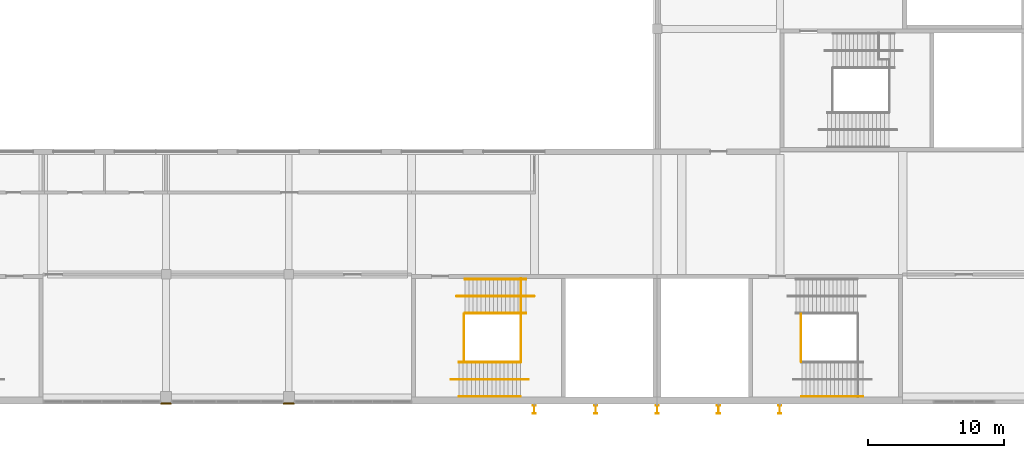
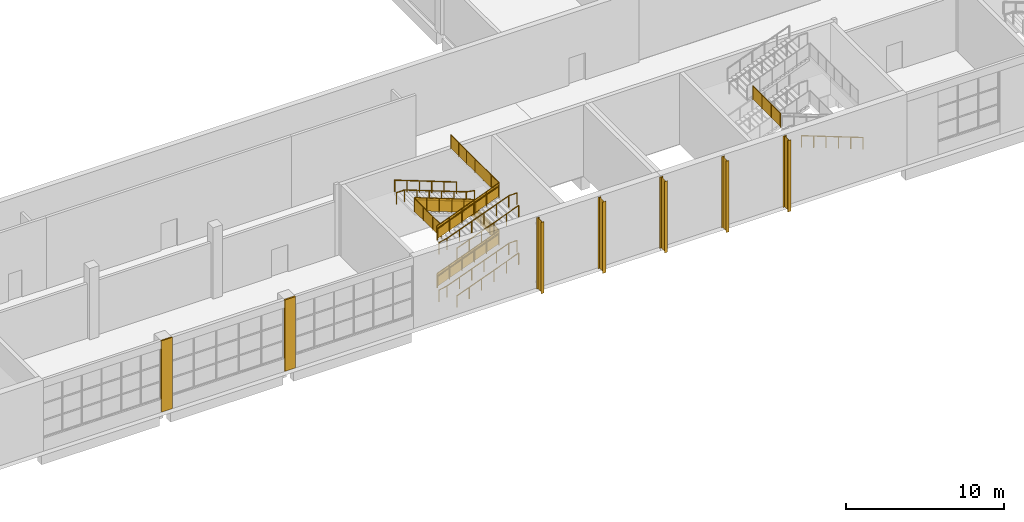
# One storey, part 66 of 84: 17 railings, 5 shading devices, 2 coverings.
"""IFC4 building model written with IfcOpenShell, lengths in metres."""

from ifc_helpers import new_model, si_unit, direction, frame, origin, origin_2d, place, context, subcontext, project, spatial, polyline, circle, i_section, outline, extrude, material, layer, layer_set, material_profile, profile_set, type_object, element, save


model = new_model("IFC4")

# Units and contexts
model_context = context("Model", 3, precision=1e-05, world=origin(), true_north=direction((0.0, 1.0)))
body_context = subcontext(model_context, "Body", "Model", "MODEL_VIEW")
ifc_project = project(units=[si_unit("LENGTHUNIT", "METRE"), si_unit("AREAUNIT", "SQUARE_METRE"), si_unit("VOLUMEUNIT", "CUBIC_METRE"), si_unit("PLANEANGLEUNIT", "RADIAN"), si_unit("MASSUNIT", "GRAM", prefix="KILO")], contexts=[model_context])

# Site, building, storey
site_placement = place(None, origin())
site = spatial("IfcSite", under=ifc_project, at=site_placement, CompositionType="ELEMENT")
building_placement = place(site_placement, origin())
building = spatial("IfcBuilding", under=site, at=building_placement, Name="Silverbay Arena", CompositionType="ELEMENT")
storey_placement = place(building_placement, frame((0.0, 0.0, 28.0)))
storey = spatial("IfcBuildingStorey", under=building, at=storey_placement, Name="L04", CompositionType="ELEMENT", Elevation=28.0)

# Coverings
ifc_material_1 = material(Name="Aluminium composite cladding", Category="aluminium")
ifc_layer = layer(ifc_material_1, 0.10009765625)
ifc_layer_set = layer_set([ifc_layer], Name="Aluminium composite cladding")
covering_type = type_object("IfcCoveringType", Name="Column cladding 100", PredefinedType="CLADDING", material=ifc_layer_set)
covering_1_placement = place(storey_placement, origin())
element("IfcCovering", 1, at=covering_1_placement, inside=storey, type_object=covering_type, Name="South column cladding L04 1", PredefinedType="CLADDING", context=body_context, shape_type="SweptSolid", body=[
    extrude(outline(polyline([(125.60009765625, 17.5), (126.39990234375, 17.5), (126.39990234375, 17.60009765625), (125.60009765625, 17.60009765625), (125.60009765625, 17.5)])), origin(), (0.0, 0.0, 1.0), 5.5),
])
covering_2_placement = place(storey_placement, origin())
element("IfcCovering", 2, at=covering_2_placement, inside=storey, type_object=covering_type, Name="South column cladding L04 3", PredefinedType="CLADDING", context=body_context, shape_type="SweptSolid", body=[
    extrude(outline(polyline([(134.60009765625, 17.5), (135.39990234375, 17.5), (135.39990234375, 17.60009765625), (134.60009765625, 17.60009765625), (134.60009765625, 17.5)])), origin(), (0.0, 0.0, 1.0), 5.5),
])

# Railings
ifc_material_2 = material(Name="Stainless steel", Category="steel")
railing_type_1 = type_object("IfcRailingType", Name="Stair guard 1100", PredefinedType="GUARDRAIL", material=ifc_material_2)
railing_1_placement = place(storey_placement, frame((147.4794921875, 20.574951171875, 0.114501953125)))
element("IfcRailing", 3, at=railing_1_placement, inside=storey, type_object=railing_type_1, Name="Stair ST-S3 L04 to L05 flight 1 guard left", PredefinedType="GUARDRAIL", context=body_context, shape_type="SweptSolid", body=[
    extrude(circle(Radius=0.02392578125, at=origin_2d()), frame((0.0, 0.0, 1.076171875), z_axis=(0.93417907455, 0.0, 0.356804507641), x_axis=(0.0, 1.0, 0.0)), (0.0, 0.0, 1.0), 4.817138671875),
    extrude(outline(polyline([(-0.008056640625, 0.046875), (0.907958984375, 0.396728515625), (0.907958984375, 1.39990234375), (-0.008056640625, 1.050048828125), (-0.008056640625, 0.046875)])), frame((0.0, 0.0029296875, 0.0), z_axis=(0.0, -1.0, 0.0), x_axis=(1.0, 0.0, 0.0)), (0.0, 0.0, 1.0), 0.006103515625),
    extrude(outline(polyline([(-0.008056640625, 0.390625), (0.907958984375, 0.740478515625), (0.907958984375, 1.74365234375), (-0.008056640625, 1.393798828125), (-0.008056640625, 0.390625)])), frame((0.89990234375, 0.0029296875, 0.0), z_axis=(0.0, -1.0, 0.0), x_axis=(1.0, 0.0, 0.0)), (0.0, 0.0, 1.0), 0.006103515625),
    extrude(outline(polyline([(-0.008056640625, 0.734375), (0.907958984375, 1.084228515625), (0.907958984375, 2.08740234375), (-0.008056640625, 1.737548828125), (-0.008056640625, 0.734375)])), frame((1.800048828125, 0.0029296875, 0.0), z_axis=(0.0, -1.0, 0.0), x_axis=(1.0, 0.0, 0.0)), (0.0, 0.0, 1.0), 0.006103515625),
    extrude(outline(polyline([(-0.008056640625, 1.078125), (0.907958984375, 1.427978515625), (0.907958984375, 2.43115234375), (-0.008056640625, 2.081298828125), (-0.008056640625, 1.078125)])), frame((2.699951171875, 0.0029296875, 0.0), z_axis=(0.0, -1.0, 0.0), x_axis=(1.0, 0.0, 0.0)), (0.0, 0.0, 1.0), 0.006103515625),
    extrude(outline(polyline([(-0.008056640625, 1.421875), (0.907958984375, 1.771728515625), (0.907958984375, 2.77490234375), (-0.008056640625, 2.425048828125), (-0.008056640625, 1.421875)])), frame((3.60009765625, 0.0029296875, 0.0), z_axis=(0.0, -1.0, 0.0), x_axis=(1.0, 0.0, 0.0)), (0.0, 0.0, 1.0), 0.006103515625),
    extrude(circle(Radius=0.02099609375, at=origin_2d()), origin(), (0.0, 0.0, 1.0), 1.052001953125),
    extrude(circle(Radius=0.02099609375, at=origin_2d()), frame((0.89990234375, 0.0, 0.34375)), (0.0, 0.0, 1.0), 1.052001953125),
    extrude(circle(Radius=0.02099609375, at=origin_2d()), frame((1.800048828125, 0.0, 0.6875)), (0.0, 0.0, 1.0), 1.052001953125),
    extrude(circle(Radius=0.02099609375, at=origin_2d()), frame((2.699951171875, 0.0, 1.03125)), (0.0, 0.0, 1.0), 1.052001953125),
    extrude(circle(Radius=0.02099609375, at=origin_2d()), frame((3.60009765625, 0.0, 1.375)), (0.0, 0.0, 1.0), 1.052001953125),
    extrude(circle(Radius=0.02099609375, at=origin_2d()), frame((4.5, 0.0, 1.71875)), (0.0, 0.0, 1.0), 1.052001953125),
])
railing_2_placement = place(storey_placement, frame((152.39990234375, 24.125, 1.947998046875)))
element("IfcRailing", 4, at=railing_2_placement, inside=storey, type_object=railing_type_1, Name="Stair ST-S3 L04 to L05 flight 2 guard right", PredefinedType="GUARDRAIL", context=body_context, shape_type="SweptSolid", body=[
    extrude(circle(Radius=0.02392578125, at=origin_2d()), frame((0.0, 0.0, 1.076171875), z_axis=(-0.93417907455, 0.0, 0.356804507641), x_axis=(0.0, -1.0, 0.0)), (0.0, 0.0, 1.0), 4.817138671875),
    extrude(outline(polyline([(-0.008056640625, 0.046875), (0.907958984375, 0.396728515625), (0.907958984375, 1.39990234375), (-0.008056640625, 1.050048828125), (-0.008056640625, 0.046875)])), frame((0.0, -0.0029296875, 0.0), z_axis=(0.0, 1.0, 0.0), x_axis=(-1.0, 0.0, 0.0)), (0.0, 0.0, 1.0), 0.006103515625),
    extrude(outline(polyline([(-0.008056640625, 0.390625), (0.907958984375, 0.740478515625), (0.907958984375, 1.74365234375), (-0.008056640625, 1.393798828125), (-0.008056640625, 0.390625)])), frame((-0.89990234375, -0.0029296875, 0.0), z_axis=(0.0, 1.0, 0.0), x_axis=(-1.0, 0.0, 0.0)), (0.0, 0.0, 1.0), 0.006103515625),
    extrude(outline(polyline([(-0.008056640625, 0.734375), (0.907958984375, 1.084228515625), (0.907958984375, 2.08740234375), (-0.008056640625, 1.737548828125), (-0.008056640625, 0.734375)])), frame((-1.800048828125, -0.0029296875, 0.0), z_axis=(0.0, 1.0, 0.0), x_axis=(-1.0, 0.0, 0.0)), (0.0, 0.0, 1.0), 0.006103515625),
    extrude(outline(polyline([(-0.008056640625, 1.078125), (0.907958984375, 1.427978515625), (0.907958984375, 2.43115234375), (-0.008056640625, 2.081298828125), (-0.008056640625, 1.078125)])), frame((-2.699951171875, -0.0029296875, 0.0), z_axis=(0.0, 1.0, 0.0), x_axis=(-1.0, 0.0, 0.0)), (0.0, 0.0, 1.0), 0.006103515625),
    extrude(outline(polyline([(-0.008056640625, 1.421875), (0.907958984375, 1.771728515625), (0.907958984375, 2.77490234375), (-0.008056640625, 2.425048828125), (-0.008056640625, 1.421875)])), frame((-3.60009765625, -0.0029296875, 0.0), z_axis=(0.0, 1.0, 0.0), x_axis=(-1.0, 0.0, 0.0)), (0.0, 0.0, 1.0), 0.006103515625),
    extrude(circle(Radius=0.02099609375, at=origin_2d()), origin(), (0.0, 0.0, 1.0), 1.052001953125),
    extrude(circle(Radius=0.02099609375, at=origin_2d()), frame((-0.89990234375, 0.0, 0.34375)), (0.0, 0.0, 1.0), 1.052001953125),
    extrude(circle(Radius=0.02099609375, at=origin_2d()), frame((-1.800048828125, 0.0, 0.6875)), (0.0, 0.0, 1.0), 1.052001953125),
    extrude(circle(Radius=0.02099609375, at=origin_2d()), frame((-2.699951171875, 0.0, 1.03125)), (0.0, 0.0, 1.0), 1.052001953125),
    extrude(circle(Radius=0.02099609375, at=origin_2d()), frame((-3.60009765625, 0.0, 1.375)), (0.0, 0.0, 1.0), 1.052001953125),
    extrude(circle(Radius=0.02099609375, at=origin_2d()), frame((-4.5, 0.0, 1.71875)), (0.0, 0.0, 1.0), 1.052001953125),
])
railing_3_placement = place(storey_placement, frame((147.4794921875, 20.574951171875, 3.78125)))
element("IfcRailing", 5, at=railing_3_placement, inside=storey, type_object=railing_type_1, Name="Stair ST-S3 L04 to L05 flight 3 guard left", PredefinedType="GUARDRAIL", context=body_context, shape_type="SweptSolid", body=[
    extrude(circle(Radius=0.02392578125, at=origin_2d()), frame((0.0, 0.0, 1.076171875), z_axis=(0.93417907455, 0.0, 0.356804507641), x_axis=(0.0, 1.0, 0.0)), (0.0, 0.0, 1.0), 4.817138671875),
    extrude(outline(polyline([(-0.008056640625, 0.046875), (0.907958984375, 0.396728515625), (0.907958984375, 1.39990234375), (-0.008056640625, 1.050048828125), (-0.008056640625, 0.046875)])), frame((0.0, 0.0029296875, 0.0), z_axis=(0.0, -1.0, 0.0), x_axis=(1.0, 0.0, 0.0)), (0.0, 0.0, 1.0), 0.006103515625),
    extrude(outline(polyline([(-0.008056640625, 0.390625), (0.907958984375, 0.740478515625), (0.907958984375, 1.74365234375), (-0.008056640625, 1.393798828125), (-0.008056640625, 0.390625)])), frame((0.89990234375, 0.0029296875, 0.0), z_axis=(0.0, -1.0, 0.0), x_axis=(1.0, 0.0, 0.0)), (0.0, 0.0, 1.0), 0.006103515625),
    extrude(outline(polyline([(-0.008056640625, 0.734375), (0.907958984375, 1.084228515625), (0.907958984375, 2.08740234375), (-0.008056640625, 1.737548828125), (-0.008056640625, 0.734375)])), frame((1.800048828125, 0.0029296875, 0.0), z_axis=(0.0, -1.0, 0.0), x_axis=(1.0, 0.0, 0.0)), (0.0, 0.0, 1.0), 0.006103515625),
    extrude(outline(polyline([(-0.008056640625, 1.078125), (0.907958984375, 1.427978515625), (0.907958984375, 2.43115234375), (-0.008056640625, 2.081298828125), (-0.008056640625, 1.078125)])), frame((2.699951171875, 0.0029296875, 0.0), z_axis=(0.0, -1.0, 0.0), x_axis=(1.0, 0.0, 0.0)), (0.0, 0.0, 1.0), 0.006103515625),
    extrude(outline(polyline([(-0.008056640625, 1.421875), (0.907958984375, 1.771728515625), (0.907958984375, 2.77490234375), (-0.008056640625, 2.425048828125), (-0.008056640625, 1.421875)])), frame((3.60009765625, 0.0029296875, 0.0), z_axis=(0.0, -1.0, 0.0), x_axis=(1.0, 0.0, 0.0)), (0.0, 0.0, 1.0), 0.006103515625),
    extrude(circle(Radius=0.02099609375, at=origin_2d()), origin(), (0.0, 0.0, 1.0), 1.052001953125),
    extrude(circle(Radius=0.02099609375, at=origin_2d()), frame((0.89990234375, 0.0, 0.34375)), (0.0, 0.0, 1.0), 1.052001953125),
    extrude(circle(Radius=0.02099609375, at=origin_2d()), frame((1.800048828125, 0.0, 0.6875)), (0.0, 0.0, 1.0), 1.052001953125),
    extrude(circle(Radius=0.02099609375, at=origin_2d()), frame((2.699951171875, 0.0, 1.03125)), (0.0, 0.0, 1.0), 1.052001953125),
    extrude(circle(Radius=0.02099609375, at=origin_2d()), frame((3.60009765625, 0.0, 1.375)), (0.0, 0.0, 1.0), 1.052001953125),
    extrude(circle(Radius=0.02099609375, at=origin_2d()), frame((4.5, 0.0, 1.71875)), (0.0, 0.0, 1.0), 1.052001953125),
])
for number, where, name in (
    (6, (152.029541015625, 24.10009765625, 1.833251953125), "Stair ST-S3 L04 to L05 landing 1 guard"),
    (7, (147.85009765625, 24.10009765625, 3.666748046875), "Stair ST-S3 L04 to L05 landing 2 guard"),
):
    element("IfcRailing", number, at=place(storey_placement, frame(where)), inside=storey, type_object=railing_type_1, Name=name, PredefinedType="GUARDRAIL", context=body_context, shape_type="SweptSolid", body=[
        extrude(circle(Radius=0.02392578125, at=origin_2d()), frame((0.0, 0.0, 1.076171875), z_axis=(0.0, -1.0, 0.0), x_axis=(1.0, 0.0, 0.0)), (0.0, 0.0, 1.0), 3.5),
        extrude(outline(polyline([(-0.008056640625, 0.050048828125), (1.174560546875, 0.050048828125), (1.174560546875, 1.052978515625), (-0.008056640625, 1.052978515625), (-0.008056640625, 0.050048828125)])), frame((0.0029296875, 0.0, 0.0), z_axis=(-1.0, 0.0, 0.0), x_axis=(0.0, -1.0, 0.0)), (0.0, 0.0, 1.0), 0.006103515625),
        extrude(outline(polyline([(-0.008056640625, 0.050048828125), (1.174560546875, 0.050048828125), (1.174560546875, 1.052978515625), (-0.008056640625, 1.052978515625), (-0.008056640625, 0.050048828125)])), frame((0.0029296875, -1.166748046875, 0.0), z_axis=(-1.0, 0.0, 0.0), x_axis=(0.0, -1.0, 0.0)), (0.0, 0.0, 1.0), 0.006103515625),
        extrude(outline(polyline([(-0.008056640625, 0.050048828125), (1.174560546875, 0.050048828125), (1.174560546875, 1.052978515625), (-0.008056640625, 1.052978515625), (-0.008056640625, 0.050048828125)])), frame((0.0029296875, -2.333251953125, 0.0), z_axis=(-1.0, 0.0, 0.0), x_axis=(0.0, -1.0, 0.0)), (0.0, 0.0, 1.0), 0.006103515625),
        extrude(circle(Radius=0.02099609375, at=origin_2d()), origin(), (0.0, 0.0, 1.0), 1.052001953125),
        extrude(circle(Radius=0.02099609375, at=origin_2d()), frame((0.0, -1.166748046875, 0.0)), (0.0, 0.0, 1.0), 1.052001953125),
        extrude(circle(Radius=0.02099609375, at=origin_2d()), frame((0.0, -2.333251953125, 0.0)), (0.0, 0.0, 1.0), 1.052001953125),
        extrude(circle(Radius=0.02099609375, at=origin_2d()), frame((0.0, -3.5, 0.0)), (0.0, 0.0, 1.0), 1.052001953125),
    ])
railing_4_placement = place(storey_placement, frame((152.029541015625, 20.60009765625, 5.5)))
element("IfcRailing", 8, at=railing_4_placement, inside=storey, type_object=railing_type_1, Name="Stair ST-S3 L04 to L05 landing 3 guard", PredefinedType="GUARDRAIL", context=body_context, shape_type="SweptSolid", body=[
    extrude(circle(Radius=0.02392578125, at=origin_2d()), frame((0.0, 0.0, 1.076171875), z_axis=(0.0, 1.0, 0.0), x_axis=(-1.0, 0.0, 0.0)), (0.0, 0.0, 1.0), 6.099853515625),
    extrude(outline(polyline([(-0.008056640625, 0.050048828125), (1.024658203125, 0.050048828125), (1.024658203125, 1.052978515625), (-0.008056640625, 1.052978515625), (-0.008056640625, 0.050048828125)])), frame((-0.0029296875, 0.0, 0.0), z_axis=(1.0, 0.0, 0.0), x_axis=(0.0, 1.0, 0.0)), (0.0, 0.0, 1.0), 0.006103515625),
    extrude(outline(polyline([(-0.008056640625, 0.050048828125), (1.024658203125, 0.050048828125), (1.024658203125, 1.052978515625), (-0.008056640625, 1.052978515625), (-0.008056640625, 0.050048828125)])), frame((-0.0029296875, 1.0166015625, 0.0), z_axis=(1.0, 0.0, 0.0), x_axis=(0.0, 1.0, 0.0)), (0.0, 0.0, 1.0), 0.006103515625),
    extrude(outline(polyline([(-0.008056640625, 0.050048828125), (1.024658203125, 0.050048828125), (1.024658203125, 1.052978515625), (-0.008056640625, 1.052978515625), (-0.008056640625, 0.050048828125)])), frame((-0.0029296875, 2.033203125, 0.0), z_axis=(1.0, 0.0, 0.0), x_axis=(0.0, 1.0, 0.0)), (0.0, 0.0, 1.0), 0.006103515625),
    extrude(outline(polyline([(-0.008056640625, 0.050048828125), (1.024658203125, 0.050048828125), (1.024658203125, 1.052978515625), (-0.008056640625, 1.052978515625), (-0.008056640625, 0.050048828125)])), frame((-0.0029296875, 3.0498046875, 0.0), z_axis=(1.0, 0.0, 0.0), x_axis=(0.0, 1.0, 0.0)), (0.0, 0.0, 1.0), 0.006103515625),
    extrude(outline(polyline([(-0.008056640625, 0.050048828125), (1.024658203125, 0.050048828125), (1.024658203125, 1.052978515625), (-0.008056640625, 1.052978515625), (-0.008056640625, 0.050048828125)])), frame((-0.0029296875, 4.066650390625, 0.0), z_axis=(1.0, 0.0, 0.0), x_axis=(0.0, 1.0, 0.0)), (0.0, 0.0, 1.0), 0.006103515625),
    extrude(outline(polyline([(-0.008056640625, 0.050048828125), (1.024658203125, 0.050048828125), (1.024658203125, 1.052978515625), (-0.008056640625, 1.052978515625), (-0.008056640625, 0.050048828125)])), frame((-0.0029296875, 5.083251953125, 0.0), z_axis=(1.0, 0.0, 0.0), x_axis=(0.0, 1.0, 0.0)), (0.0, 0.0, 1.0), 0.006103515625),
    extrude(circle(Radius=0.02099609375, at=origin_2d()), origin(), (0.0, 0.0, 1.0), 1.052001953125),
    extrude(circle(Radius=0.02099609375, at=origin_2d()), frame((0.0, 1.0166015625, 0.0)), (0.0, 0.0, 1.0), 1.052001953125),
    extrude(circle(Radius=0.02099609375, at=origin_2d()), frame((0.0, 2.033203125, 0.0)), (0.0, 0.0, 1.0), 1.052001953125),
    extrude(circle(Radius=0.02099609375, at=origin_2d()), frame((0.0, 3.0498046875, 0.0)), (0.0, 0.0, 1.0), 1.052001953125),
    extrude(circle(Radius=0.02099609375, at=origin_2d()), frame((0.0, 4.066650390625, 0.0)), (0.0, 0.0, 1.0), 1.052001953125),
    extrude(circle(Radius=0.02099609375, at=origin_2d()), frame((0.0, 5.083251953125, 0.0)), (0.0, 0.0, 1.0), 1.052001953125),
    extrude(circle(Radius=0.02099609375, at=origin_2d()), frame((0.0, 6.099853515625, 0.0)), (0.0, 0.0, 1.0), 1.052001953125),
])
railing_5_placement = place(storey_placement, frame((172.550048828125, 24.10009765625, 3.666748046875)))
element("IfcRailing", 9, at=railing_5_placement, inside=storey, type_object=railing_type_1, Name="Stair ST-S4 L04 to L05 landing 2 guard", PredefinedType="GUARDRAIL", context=body_context, shape_type="SweptSolid", body=[
    extrude(circle(Radius=0.02392578125, at=origin_2d()), frame((0.0, 0.0, 1.076171875), z_axis=(0.0, -1.0, 0.0), x_axis=(1.0, 0.0, 0.0)), (0.0, 0.0, 1.0), 3.5),
    extrude(outline(polyline([(-0.008056640625, 0.050048828125), (1.174560546875, 0.050048828125), (1.174560546875, 1.052978515625), (-0.008056640625, 1.052978515625), (-0.008056640625, 0.050048828125)])), frame((0.0029296875, 0.0, 0.0), z_axis=(-1.0, 0.0, 0.0), x_axis=(0.0, -1.0, 0.0)), (0.0, 0.0, 1.0), 0.006103515625),
    extrude(outline(polyline([(-0.008056640625, 0.050048828125), (1.174560546875, 0.050048828125), (1.174560546875, 1.052978515625), (-0.008056640625, 1.052978515625), (-0.008056640625, 0.050048828125)])), frame((0.0029296875, -1.166748046875, 0.0), z_axis=(-1.0, 0.0, 0.0), x_axis=(0.0, -1.0, 0.0)), (0.0, 0.0, 1.0), 0.006103515625),
    extrude(outline(polyline([(-0.008056640625, 0.050048828125), (1.174560546875, 0.050048828125), (1.174560546875, 1.052978515625), (-0.008056640625, 1.052978515625), (-0.008056640625, 0.050048828125)])), frame((0.0029296875, -2.333251953125, 0.0), z_axis=(-1.0, 0.0, 0.0), x_axis=(0.0, -1.0, 0.0)), (0.0, 0.0, 1.0), 0.006103515625),
    extrude(circle(Radius=0.02099609375, at=origin_2d()), origin(), (0.0, 0.0, 1.0), 1.052001953125),
    extrude(circle(Radius=0.02099609375, at=origin_2d()), frame((0.0, -1.166748046875, 0.0)), (0.0, 0.0, 1.0), 1.052001953125),
    extrude(circle(Radius=0.02099609375, at=origin_2d()), frame((0.0, -2.333251953125, 0.0)), (0.0, 0.0, 1.0), 1.052001953125),
    extrude(circle(Radius=0.02099609375, at=origin_2d()), frame((0.0, -3.5, 0.0)), (0.0, 0.0, 1.0), 1.052001953125),
])
ifc_material_3 = material(Name="Stainless steel", Category="steel")
railing_type_2 = type_object("IfcRailingType", Name="Stair handrail 900", PredefinedType="HANDRAIL", material=ifc_material_3)
for number, where, name in (
    (10, (147.4794921875, 20.535888671875, 0.114501953125), "Stair ST-S3 L04 to L05 flight 1 handrail left"),
    (11, (147.4794921875, 18.050048828125, 0.114501953125), "Stair ST-S3 L04 to L05 flight 1 handrail right"),
):
    element("IfcRailing", number, at=place(storey_placement, frame(where)), inside=storey, type_object=railing_type_2, Name=name, PredefinedType="HANDRAIL", context=body_context, shape_type="SweptSolid", body=[
        extrude(circle(Radius=0.02392578125, at=origin_2d()), frame((0.0, 0.0, 0.8759765625), z_axis=(0.93417907455, 0.0, 0.356804507641), x_axis=(0.0, 1.0, 0.0)), (0.0, 0.0, 1.0), 4.817138671875),
        extrude(circle(Radius=0.02099609375, at=origin_2d()), origin(), (0.0, 0.0, 1.0), 0.851806640625),
        extrude(circle(Radius=0.02099609375, at=origin_2d()), frame((0.89990234375, 0.0, 0.34375)), (0.0, 0.0, 1.0), 0.851806640625),
        extrude(circle(Radius=0.02099609375, at=origin_2d()), frame((1.800048828125, 0.0, 0.6875)), (0.0, 0.0, 1.0), 0.851806640625),
        extrude(circle(Radius=0.02099609375, at=origin_2d()), frame((2.699951171875, 0.0, 1.03125)), (0.0, 0.0, 1.0), 0.851806640625),
        extrude(circle(Radius=0.02099609375, at=origin_2d()), frame((3.60009765625, 0.0, 1.375)), (0.0, 0.0, 1.0), 0.851806640625),
        extrude(circle(Radius=0.02099609375, at=origin_2d()), frame((4.5, 0.0, 1.71875)), (0.0, 0.0, 1.0), 0.851806640625),
    ])
railing_6_placement = place(storey_placement, frame((146.879638671875, 19.300048828125, 0.0)))
element("IfcRailing", 12, at=railing_6_placement, inside=storey, type_object=railing_type_2, Name="Stair ST-S3 L04 to L05 flight 1 central handrail", PredefinedType="HANDRAIL", context=body_context, shape_type="SweptSolid", body=[
    extrude(circle(Radius=0.02392578125, at=origin_2d()), frame((0.0, 0.0, 0.8759765625), z_axis=(0.982265007716, 0.0, 0.187497878966), x_axis=(0.0, 1.0, 0.0)), (0.0, 0.0, 1.0), 0.610595703125),
    extrude(circle(Radius=0.02392578125, at=origin_2d()), frame((0.599853515625, 0.0, 0.990234375), z_axis=(0.93417907455, 0.0, 0.356804507641), x_axis=(0.0, 1.0, 0.0)), (0.0, 0.0, 1.0), 4.817138671875),
    extrude(circle(Radius=0.02392578125, at=origin_2d()), frame((5.099853515625, 0.0, 2.708984375), z_axis=(1.0, 0.0, 0.0), x_axis=(0.0, 1.0, 0.0)), (0.0, 0.0, 1.0), 0.60009765625),
    extrude(circle(Radius=0.02099609375, at=origin_2d()), origin(), (0.0, 0.0, 1.0), 0.851806640625),
    extrude(circle(Radius=0.02099609375, at=origin_2d()), frame((0.599853515625, 0.0, 0.114501953125)), (0.0, 0.0, 1.0), 0.851806640625),
    extrude(circle(Radius=0.02099609375, at=origin_2d()), frame((1.499755859375, 0.0, 0.458251953125)), (0.0, 0.0, 1.0), 0.851806640625),
    extrude(circle(Radius=0.02099609375, at=origin_2d()), frame((2.39990234375, 0.0, 0.802001953125)), (0.0, 0.0, 1.0), 0.851806640625),
    extrude(circle(Radius=0.02099609375, at=origin_2d()), frame((3.2998046875, 0.0, 1.145751953125)), (0.0, 0.0, 1.0), 0.851806640625),
    extrude(circle(Radius=0.02099609375, at=origin_2d()), frame((4.199951171875, 0.0, 1.489501953125)), (0.0, 0.0, 1.0), 0.851806640625),
    extrude(circle(Radius=0.02099609375, at=origin_2d()), frame((5.099853515625, 0.0, 1.833251953125)), (0.0, 0.0, 1.0), 0.851806640625),
    extrude(circle(Radius=0.02099609375, at=origin_2d()), frame((5.699951171875, 0.0, 1.833251953125)), (0.0, 0.0, 1.0), 0.851806640625),
])
for number, where, name in (
    (13, (152.39990234375, 26.64990234375, 1.947998046875), "Stair ST-S3 L04 to L05 flight 2 handrail left"),
    (14, (152.39990234375, 24.1640625, 1.947998046875), "Stair ST-S3 L04 to L05 flight 2 handrail right"),
):
    element("IfcRailing", number, at=place(storey_placement, frame(where)), inside=storey, type_object=railing_type_2, Name=name, PredefinedType="HANDRAIL", context=body_context, shape_type="SweptSolid", body=[
        extrude(circle(Radius=0.02392578125, at=origin_2d()), frame((0.0, 0.0, 0.8759765625), z_axis=(-0.93417907455, 0.0, 0.356804507641), x_axis=(0.0, -1.0, 0.0)), (0.0, 0.0, 1.0), 4.817138671875),
        extrude(circle(Radius=0.02099609375, at=origin_2d()), origin(), (0.0, 0.0, 1.0), 0.851806640625),
        extrude(circle(Radius=0.02099609375, at=origin_2d()), frame((-0.89990234375, 0.0, 0.34375)), (0.0, 0.0, 1.0), 0.851806640625),
        extrude(circle(Radius=0.02099609375, at=origin_2d()), frame((-1.800048828125, 0.0, 0.6875)), (0.0, 0.0, 1.0), 0.851806640625),
        extrude(circle(Radius=0.02099609375, at=origin_2d()), frame((-2.699951171875, 0.0, 1.03125)), (0.0, 0.0, 1.0), 0.851806640625),
        extrude(circle(Radius=0.02099609375, at=origin_2d()), frame((-3.60009765625, 0.0, 1.375)), (0.0, 0.0, 1.0), 0.851806640625),
        extrude(circle(Radius=0.02099609375, at=origin_2d()), frame((-4.5, 0.0, 1.71875)), (0.0, 0.0, 1.0), 0.851806640625),
    ])
railing_7_placement = place(storey_placement, frame((153.0, 25.39990234375, 1.833251953125)))
element("IfcRailing", 15, at=railing_7_placement, inside=storey, type_object=railing_type_2, Name="Stair ST-S3 L04 to L05 flight 2 central handrail", PredefinedType="HANDRAIL", context=body_context, shape_type="SweptSolid", body=[
    extrude(circle(Radius=0.02392578125, at=origin_2d()), frame((0.0, 0.0, 0.8759765625), z_axis=(-0.982205411617, 0.0, 0.1878098224), x_axis=(0.0, -1.0, 0.0)), (0.0, 0.0, 1.0), 0.611083984375),
    extrude(circle(Radius=0.02392578125, at=origin_2d()), frame((-0.60009765625, 0.0, 0.99072265625), z_axis=(-0.93417907455, 0.0, 0.356804507641), x_axis=(0.0, -1.0, 0.0)), (0.0, 0.0, 1.0), 4.817138671875),
    extrude(circle(Radius=0.02392578125, at=origin_2d()), frame((-5.10009765625, 0.0, 2.70947265625), z_axis=(-1.0, 0.0, 0.0), x_axis=(0.0, -1.0, 0.0)), (0.0, 0.0, 1.0), 0.599853515625),
    extrude(circle(Radius=0.02099609375, at=origin_2d()), origin(), (0.0, 0.0, 1.0), 0.851806640625),
    extrude(circle(Radius=0.02099609375, at=origin_2d()), frame((-0.60009765625, 0.0, 0.11474609375)), (0.0, 0.0, 1.0), 0.851806640625),
    extrude(circle(Radius=0.02099609375, at=origin_2d()), frame((-1.5, 0.0, 0.45849609375)), (0.0, 0.0, 1.0), 0.851806640625),
    extrude(circle(Radius=0.02099609375, at=origin_2d()), frame((-2.400146484375, 0.0, 0.80224609375)), (0.0, 0.0, 1.0), 0.851806640625),
    extrude(circle(Radius=0.02099609375, at=origin_2d()), frame((-3.300048828125, 0.0, 1.14599609375)), (0.0, 0.0, 1.0), 0.851806640625),
    extrude(circle(Radius=0.02099609375, at=origin_2d()), frame((-4.2001953125, 0.0, 1.48974609375)), (0.0, 0.0, 1.0), 0.851806640625),
    extrude(circle(Radius=0.02099609375, at=origin_2d()), frame((-5.10009765625, 0.0, 1.83349609375)), (0.0, 0.0, 1.0), 0.851806640625),
    extrude(circle(Radius=0.02099609375, at=origin_2d()), frame((-5.699951171875, 0.0, 1.83349609375)), (0.0, 0.0, 1.0), 0.851806640625),
])
for number, where, name in (
    (16, (147.4794921875, 20.535888671875, 3.78125), "Stair ST-S3 L04 to L05 flight 3 handrail left"),
    (17, (147.4794921875, 18.050048828125, 3.78125), "Stair ST-S3 L04 to L05 flight 3 handrail right"),
):
    element("IfcRailing", number, at=place(storey_placement, frame(where)), inside=storey, type_object=railing_type_2, Name=name, PredefinedType="HANDRAIL", context=body_context, shape_type="SweptSolid", body=[
        extrude(circle(Radius=0.02392578125, at=origin_2d()), frame((0.0, 0.0, 0.8759765625), z_axis=(0.93417907455, 0.0, 0.356804507641), x_axis=(0.0, 1.0, 0.0)), (0.0, 0.0, 1.0), 4.817138671875),
        extrude(circle(Radius=0.02099609375, at=origin_2d()), origin(), (0.0, 0.0, 1.0), 0.851806640625),
        extrude(circle(Radius=0.02099609375, at=origin_2d()), frame((0.89990234375, 0.0, 0.34375)), (0.0, 0.0, 1.0), 0.851806640625),
        extrude(circle(Radius=0.02099609375, at=origin_2d()), frame((1.800048828125, 0.0, 0.6875)), (0.0, 0.0, 1.0), 0.851806640625),
        extrude(circle(Radius=0.02099609375, at=origin_2d()), frame((2.699951171875, 0.0, 1.03125)), (0.0, 0.0, 1.0), 0.851806640625),
        extrude(circle(Radius=0.02099609375, at=origin_2d()), frame((3.60009765625, 0.0, 1.375)), (0.0, 0.0, 1.0), 0.851806640625),
        extrude(circle(Radius=0.02099609375, at=origin_2d()), frame((4.5, 0.0, 1.71875)), (0.0, 0.0, 1.0), 0.851806640625),
    ])
railing_8_placement = place(storey_placement, frame((146.879638671875, 19.300048828125, 3.666748046875)))
element("IfcRailing", 18, at=railing_8_placement, inside=storey, type_object=railing_type_2, Name="Stair ST-S3 L04 to L05 flight 3 central handrail", PredefinedType="HANDRAIL", context=body_context, shape_type="SweptSolid", body=[
    extrude(circle(Radius=0.02392578125, at=origin_2d()), frame((0.0, 0.0, 0.8759765625), z_axis=(0.982265007716, 0.0, 0.187497878966), x_axis=(0.0, 1.0, 0.0)), (0.0, 0.0, 1.0), 0.610595703125),
    extrude(circle(Radius=0.02392578125, at=origin_2d()), frame((0.599853515625, 0.0, 0.990234375), z_axis=(0.93417907455, 0.0, 0.356804507641), x_axis=(0.0, 1.0, 0.0)), (0.0, 0.0, 1.0), 4.817138671875),
    extrude(circle(Radius=0.02392578125, at=origin_2d()), frame((5.099853515625, 0.0, 2.708984375), z_axis=(1.0, 0.0, 0.0), x_axis=(0.0, 1.0, 0.0)), (0.0, 0.0, 1.0), 0.60009765625),
    extrude(circle(Radius=0.02099609375, at=origin_2d()), origin(), (0.0, 0.0, 1.0), 0.851806640625),
    extrude(circle(Radius=0.02099609375, at=origin_2d()), frame((0.599853515625, 0.0, 0.114501953125)), (0.0, 0.0, 1.0), 0.851806640625),
    extrude(circle(Radius=0.02099609375, at=origin_2d()), frame((1.499755859375, 0.0, 0.458251953125)), (0.0, 0.0, 1.0), 0.851806640625),
    extrude(circle(Radius=0.02099609375, at=origin_2d()), frame((2.39990234375, 0.0, 0.802001953125)), (0.0, 0.0, 1.0), 0.851806640625),
    extrude(circle(Radius=0.02099609375, at=origin_2d()), frame((3.2998046875, 0.0, 1.145751953125)), (0.0, 0.0, 1.0), 0.851806640625),
    extrude(circle(Radius=0.02099609375, at=origin_2d()), frame((4.199951171875, 0.0, 1.489501953125)), (0.0, 0.0, 1.0), 0.851806640625),
    extrude(circle(Radius=0.02099609375, at=origin_2d()), frame((5.099853515625, 0.0, 1.833251953125)), (0.0, 0.0, 1.0), 0.851806640625),
    extrude(circle(Radius=0.02099609375, at=origin_2d()), frame((5.699951171875, 0.0, 1.833251953125)), (0.0, 0.0, 1.0), 0.851806640625),
])
railing_9_placement = place(storey_placement, frame((177.10009765625, 18.050048828125, 1.947998046875)))
element("IfcRailing", 19, at=railing_9_placement, inside=storey, type_object=railing_type_2, Name="Stair ST-S4 L04 to L05 flight 2 handrail right", PredefinedType="HANDRAIL", context=body_context, shape_type="SweptSolid", body=[
    extrude(circle(Radius=0.02392578125, at=origin_2d()), frame((0.0, 0.0, 0.8759765625), z_axis=(-0.93417907455, 0.0, 0.356804507641), x_axis=(0.0, -1.0, 0.0)), (0.0, 0.0, 1.0), 4.817138671875),
    extrude(circle(Radius=0.02099609375, at=origin_2d()), origin(), (0.0, 0.0, 1.0), 0.851806640625),
    extrude(circle(Radius=0.02099609375, at=origin_2d()), frame((-0.89990234375, 0.0, 0.34375)), (0.0, 0.0, 1.0), 0.851806640625),
    extrude(circle(Radius=0.02099609375, at=origin_2d()), frame((-1.800048828125, 0.0, 0.6875)), (0.0, 0.0, 1.0), 0.851806640625),
    extrude(circle(Radius=0.02099609375, at=origin_2d()), frame((-2.699951171875, 0.0, 1.03125)), (0.0, 0.0, 1.0), 0.851806640625),
    extrude(circle(Radius=0.02099609375, at=origin_2d()), frame((-3.60009765625, 0.0, 1.375)), (0.0, 0.0, 1.0), 0.851806640625),
    extrude(circle(Radius=0.02099609375, at=origin_2d()), frame((-4.5, 0.0, 1.71875)), (0.0, 0.0, 1.0), 0.851806640625),
])

# Shading devices
ifc_material_4 = material(Name="Steel S355", Category="steel")
ifc_material_profile = material_profile(ifc_material_4, i_section(OverallWidth=0.2275390625, OverallDepth=0.6025390625, WebThickness=0.010498046875, FlangeThickness=0.014892578125, at=origin_2d()), Name="UB 610x229x101")
ifc_profile_set = profile_set([ifc_material_profile], Name="Steel S355")
shading_device_type = type_object("IfcShadingDeviceType", Name="Steel fin UB 610x229x101", PredefinedType="USERDEFINED", material=ifc_profile_set)
for number, where, z_axis, x_axis, name in (
    (20, (153.0, 17.0986328125, 0.0), (0.0, 0.0, 1.0), (1.0, 0.0, 0.0), "Steel fin S L04 22"),
    (21, (157.5, 17.0986328125, 0.0), (0.0, 0.0, 1.0), (1.0, 0.0, 0.0), "Steel fin S L04 23"),
    (22, (162.0, 17.0986328125, 0.0), (0.0, 0.0, 1.0), (1.0, 0.0, 0.0), "Steel fin S L04 24"),
    (23, (166.5, 17.0986328125, 0.0), (0.0, 0.0, 1.0), (1.0, 0.0, 0.0), "Steel fin S L04 25"),
    (24, (171.0, 17.0986328125, 0.0), (0.0, 0.0, 1.0), (1.0, 0.0, 0.0), "Steel fin S L04 26"),
):
    element("IfcShadingDevice", number, at=place(storey_placement, frame(where, z_axis=z_axis, x_axis=x_axis)), inside=storey, type_object=shading_device_type, Name=name, ObjectType="FIN", PredefinedType="USERDEFINED", context=body_context, shape_type="SweptSolid", body=[
        extrude(i_section(OverallWidth=0.2275390625, OverallDepth=0.6025390625, WebThickness=0.010498046875, FlangeThickness=0.014892578125, at=origin_2d()), origin(), (0.0, 0.0, 1.0), 5.5),
    ])

save(model, "model.ifc")
